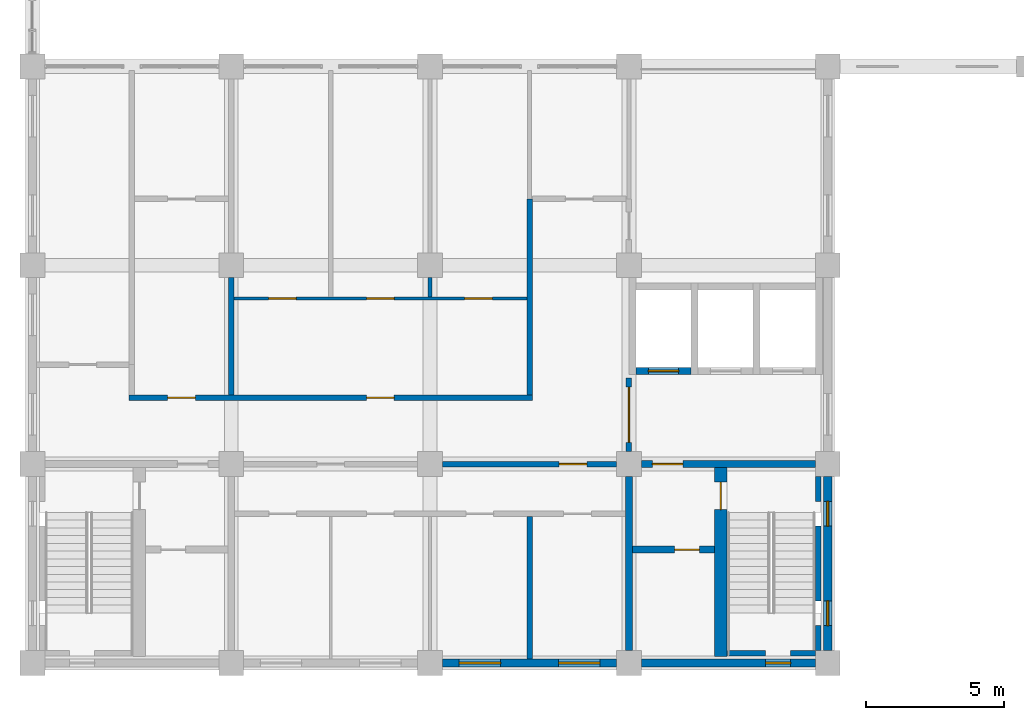
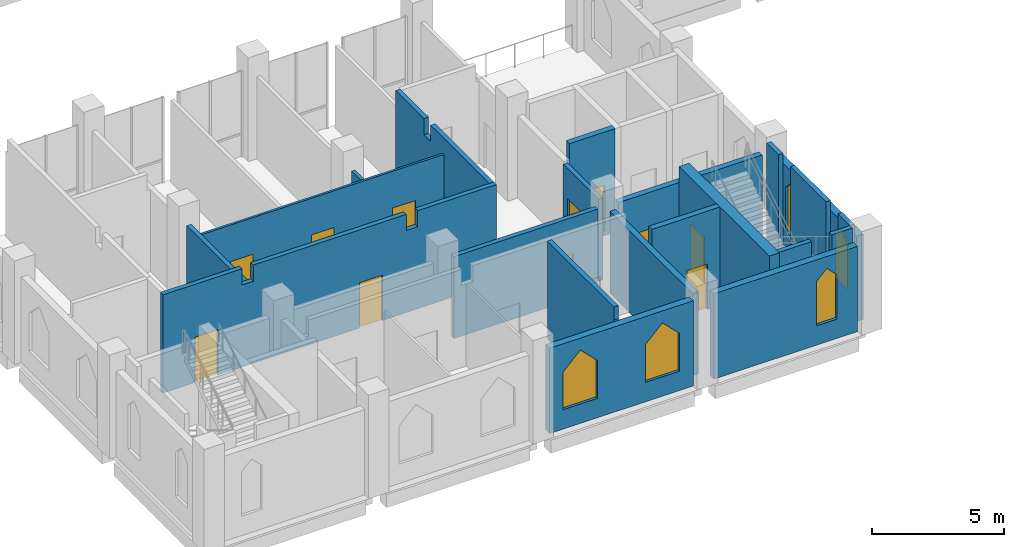
# One storey, part 20 of 30: 21 walls, 11 doors, 5 windows, 16 openings.
"""IFC4 building model written with IfcOpenShell, lengths in metres."""

from ifc_helpers import new_model, si_unit, direction, frame, frame_2d, origin, place, context, subcontext, project, spatial, polyline, rectangle, outline, extrude, material, layer, layer_set, type_object, element, fill, save


model = new_model("IFC4")

# Units and contexts
model_context = context("Model", 3, precision=1e-05, world=origin(), true_north=direction((0.0, 1.0)))
body_context = subcontext(model_context, "Body", "Model", "MODEL_VIEW")
ifc_project = project(units=[si_unit("LENGTHUNIT", "METRE"), si_unit("AREAUNIT", "SQUARE_METRE"), si_unit("VOLUMEUNIT", "CUBIC_METRE"), si_unit("PLANEANGLEUNIT", "RADIAN"), si_unit("MASSUNIT", "GRAM", prefix="KILO")], contexts=[model_context])

# Site, building, storey
site_placement = place(None, origin())
site = spatial("IfcSite", under=ifc_project, at=site_placement, CompositionType="ELEMENT")
building_placement = place(site_placement, origin())
building = spatial("IfcBuilding", under=site, at=building_placement, Name="Silangan Lancet Faculty of Sciences", CompositionType="ELEMENT")
storey_placement = place(building_placement, frame((0.0, 0.0, 31.199951171875)))
storey = spatial("IfcBuildingStorey", under=building, at=storey_placement, Name="L06", CompositionType="ELEMENT", Elevation=31.199951171875)

# Wall, openings, windows
ifc_material_1 = material(Name="Concrete C40/50 precast", Category="concrete")
ifc_layer_1 = layer(ifc_material_1, 0.300048828125)
ifc_layer_set_1 = layer_set([ifc_layer_1], Name="Concrete C40/50 precast")
wall_type_1 = type_object("IfcWallType", Name="EW1 Precast cladding wall", PredefinedType="STANDARD", material=ifc_layer_set_1)
wall_1_placement = place(storey_placement, frame((14.85009765625, 0.0, 0.0), z_axis=(0.0, 0.0, 1.0), x_axis=(1.0, 0.0, 0.0)))
wall_1 = element("IfcWall", 1, at=wall_1_placement, inside=storey, type_object=wall_type_1, Name="EW-L06-S-ST-02", PredefinedType="STANDARD", context=body_context, shape_type="SweptSolid", body=[
    extrude(rectangle(XDim=6.2998046875, YDim=0.300048828125, at=frame_2d((3.14990234375, 0.0))), origin(), (0.0, 0.0, 1.0), 3.949951171875),
])
opening_1_placement = place(wall_1_placement, frame((0.60009765625, 0.0, 0.89990234375)))
opening_1 = element("IfcOpeningElement", 2, at=opening_1_placement, cuts=wall_1, Name="Opening W12", PredefinedType="OPENING", context=body_context, shape_type="SweptSolid", body=[
    extrude(outline(polyline([(0.0, 0.0), (1.5, 0.0), (1.5, 1.75), (0.75, 2.5), (0.0, 1.75), (0.0, 0.0)])), frame((0.0, 0.159912109375, 0.0), z_axis=(0.0, -1.0, 0.0), x_axis=(1.0, 0.0, 0.0)), (0.0, 0.0, 1.0), 0.320068359375),
])
opening_2_placement = place(wall_1_placement, frame((4.199951171875, 0.0, 0.89990234375)))
opening_2 = element("IfcOpeningElement", 3, at=opening_2_placement, cuts=wall_1, Name="Opening W12", PredefinedType="OPENING", context=body_context, shape_type="SweptSolid", body=[
    extrude(outline(polyline([(0.0, 0.0), (1.5, 0.0), (1.5, 1.75), (0.75, 2.5), (0.0, 1.75), (0.0, 0.0)])), frame((0.0, 0.159912109375, 0.0), z_axis=(0.0, -1.0, 0.0), x_axis=(1.0, 0.0, 0.0)), (0.0, 0.0, 1.0), 0.320068359375),
])
ifc_material_2 = material(Name="Aluminium frame, laminated double glazing", Category="aluminium")
window_type_1 = type_object("IfcWindowType", Name="W12 Lancet window 1500 x 2500", PartitioningType="SINGLE_PANEL", PredefinedType="WINDOW", material=ifc_material_2)
window_1_placement = place(opening_1_placement, origin())
window_1 = element("IfcWindow", 4, at=window_1_placement, inside=storey, type_object=window_type_1, Name="WIN-L06-S-ST-02a", OverallHeight=2.5, OverallWidth=1.5, PartitioningType="SINGLE_PANEL", PredefinedType="WINDOW", context=body_context, shape_type="SweptSolid", body=[
    extrude(outline(polyline([(0.0, 0.0), (1.5, 0.0), (1.5, 1.75), (0.75, 2.5), (0.0, 1.75), (0.0, 0.0)])), frame((0.0, 0.030029296875, 0.0), z_axis=(0.0, -1.0, 0.0), x_axis=(1.0, 0.0, 0.0)), (0.0, 0.0, 1.0), 0.06005859375),
])
fill(opening_1, window_1)
window_2_placement = place(opening_2_placement, origin())
window_2 = element("IfcWindow", 5, at=window_2_placement, inside=storey, type_object=window_type_1, Name="WIN-L06-S-ST-02b", OverallHeight=2.5, OverallWidth=1.5, PartitioningType="SINGLE_PANEL", PredefinedType="WINDOW", context=body_context, shape_type="SweptSolid", body=[
    extrude(outline(polyline([(0.0, 0.0), (1.5, 0.0), (1.5, 1.75), (0.75, 2.5), (0.0, 1.75), (0.0, 0.0)])), frame((0.0, 0.030029296875, 0.0), z_axis=(0.0, -1.0, 0.0), x_axis=(1.0, 0.0, 0.0)), (0.0, 0.0, 1.0), 0.06005859375),
])
fill(opening_2, window_2)

# Wall, opening, window
ifc_material_3 = material(Name="Concrete C40/50 precast", Category="concrete")
ifc_layer_2 = layer(ifc_material_3, 0.300048828125)
ifc_layer_set_2 = layer_set([ifc_layer_2], Name="Concrete C40/50 precast")
wall_type_2 = type_object("IfcWallType", Name="EW2 Turret enclosure wall", PredefinedType="STANDARD", material=ifc_layer_set_2)
wall_2_placement = place(storey_placement, frame((22.050048828125, 0.0, 0.0), z_axis=(0.0, 0.0, 1.0), x_axis=(1.0, 0.0, 0.0)))
wall_2 = element("IfcWall", 6, at=wall_2_placement, inside=storey, type_object=wall_type_2, Name="EW-L06-S-ST-03", PredefinedType="STANDARD", context=body_context, shape_type="SweptSolid", body=[
    extrude(rectangle(XDim=6.300048828125, YDim=0.300048828125, at=frame_2d((3.14990234375, 0.0))), origin(), (0.0, 0.0, 1.0), 3.949951171875),
])
opening_3_placement = place(wall_2_placement, frame((4.5, 0.0, 0.89990234375)))
opening_3 = element("IfcOpeningElement", 7, at=opening_3_placement, cuts=wall_2, Name="Opening W11", PredefinedType="OPENING", context=body_context, shape_type="SweptSolid", body=[
    extrude(outline(polyline([(0.0, 0.0), (0.89990234375, 0.0), (0.89990234375, 2.050048828125), (0.449951171875, 2.5), (0.0, 2.050048828125), (0.0, 0.0)])), frame((0.0, 0.159912109375, 0.0), z_axis=(0.0, -1.0, 0.0), x_axis=(1.0, 0.0, 0.0)), (0.0, 0.0, 1.0), 0.320068359375),
])
ifc_material_4 = material(Name="Aluminium frame, laminated double glazing", Category="aluminium")
window_type_2 = type_object("IfcWindowType", Name="W11 Lancet window 900 x 2500", PartitioningType="SINGLE_PANEL", PredefinedType="WINDOW", material=ifc_material_4)
window_3_placement = place(opening_3_placement, origin())
window_3 = element("IfcWindow", 8, at=window_3_placement, inside=storey, type_object=window_type_2, Name="WIN-L06-S-ST-03b", OverallHeight=2.5, OverallWidth=0.89990234375, PartitioningType="SINGLE_PANEL", PredefinedType="WINDOW", context=body_context, shape_type="SweptSolid", body=[
    extrude(outline(polyline([(0.0, 0.0), (0.89990234375, 0.0), (0.89990234375, 2.050048828125), (0.449951171875, 2.5), (0.0, 2.050048828125), (0.0, 0.0)])), frame((0.0, 0.030029296875, 0.0), z_axis=(0.0, -1.0, 0.0), x_axis=(1.0, 0.0, 0.0)), (0.0, 0.0, 1.0), 0.06005859375),
])
fill(opening_3, window_3)

# Wall, openings, windows
wall_3_placement = place(storey_placement, frame((28.800048828125, 0.449951171875, 0.0), z_axis=(0.0, 0.0, 1.0), x_axis=(0.0, 1.0, 0.0)))
wall_3 = element("IfcWall", 9, at=wall_3_placement, inside=storey, type_object=wall_type_2, Name="EW-L06-E-ST-00", PredefinedType="STANDARD", context=body_context, shape_type="SweptSolid", body=[
    extrude(rectangle(XDim=6.300048828125, YDim=0.300048828125, at=frame_2d((3.14990234375, 0.0))), origin(), (0.0, 0.0, 1.0), 3.949951171875),
])
opening_4_placement = place(wall_3_placement, frame((0.89990234375, 0.0, 0.89990234375)))
opening_4 = element("IfcOpeningElement", 10, at=opening_4_placement, cuts=wall_3, Name="Opening W11", PredefinedType="OPENING", context=body_context, shape_type="SweptSolid", body=[
    extrude(outline(polyline([(0.0, 0.0), (0.89990234375, 0.0), (0.89990234375, 2.050048828125), (0.449951171875, 2.5), (0.0, 2.050048828125), (0.0, 0.0)])), frame((0.0, 0.159912109375, 0.0), z_axis=(0.0, -1.0, 0.0), x_axis=(1.0, 0.0, 0.0)), (0.0, 0.0, 1.0), 0.320068359375),
])
opening_5_placement = place(wall_3_placement, frame((4.5, 0.0, 0.89990234375)))
opening_5 = element("IfcOpeningElement", 11, at=opening_5_placement, cuts=wall_3, Name="Opening W11", PredefinedType="OPENING", context=body_context, shape_type="SweptSolid", body=[
    extrude(outline(polyline([(0.0, 0.0), (0.89990234375, 0.0), (0.89990234375, 2.050048828125), (0.449951171875, 2.5), (0.0, 2.050048828125), (0.0, 0.0)])), frame((0.0, 0.159912109375, 0.0), z_axis=(0.0, -1.0, 0.0), x_axis=(1.0, 0.0, 0.0)), (0.0, 0.0, 1.0), 0.320068359375),
])
window_4_placement = place(opening_4_placement, origin())
window_4 = element("IfcWindow", 12, at=window_4_placement, inside=storey, type_object=window_type_2, Name="WIN-L06-E-ST-00a", OverallHeight=2.5, OverallWidth=0.89990234375, PartitioningType="SINGLE_PANEL", PredefinedType="WINDOW", context=body_context, shape_type="SweptSolid", body=[
    extrude(outline(polyline([(0.0, 0.0), (0.89990234375, 0.0), (0.89990234375, 2.050048828125), (0.449951171875, 2.5), (0.0, 2.050048828125), (0.0, 0.0)])), frame((0.0, 0.030029296875, 0.0), z_axis=(0.0, -1.0, 0.0), x_axis=(1.0, 0.0, 0.0)), (0.0, 0.0, 1.0), 0.06005859375),
])
fill(opening_4, window_4)
window_5_placement = place(opening_5_placement, origin())
window_5 = element("IfcWindow", 13, at=window_5_placement, inside=storey, type_object=window_type_2, Name="WIN-L06-E-ST-00b", OverallHeight=2.5, OverallWidth=0.89990234375, PartitioningType="SINGLE_PANEL", PredefinedType="WINDOW", context=body_context, shape_type="SweptSolid", body=[
    extrude(outline(polyline([(0.0, 0.0), (0.89990234375, 0.0), (0.89990234375, 2.050048828125), (0.449951171875, 2.5), (0.0, 2.050048828125), (0.0, 0.0)])), frame((0.0, 0.030029296875, 0.0), z_axis=(0.0, -1.0, 0.0), x_axis=(1.0, 0.0, 0.0)), (0.0, 0.0, 1.0), 0.06005859375),
])
fill(opening_5, window_5)

# Wall, opening, door
ifc_material_5 = material(Name="Hollow block masonry fm 7 MPa", Category="masonry")
ifc_layer_3 = layer(ifc_material_5, 0.199951171875)
ifc_layer_set_3 = layer_set([ifc_layer_3], Name="Hollow block masonry fm 7 MPa")
wall_type_3 = type_object("IfcWallType", Name="Interior wall PW1 Corridor wall CHB 200", PredefinedType="PARTITIONING", material=ifc_layer_set_3)
wall_4_placement = place(storey_placement, frame((14.85009765625, 7.199951171875, 0.0), z_axis=(0.0, 0.0, 1.0), x_axis=(1.0, 0.0, 0.0)))
wall_4 = element("IfcWall", 14, at=wall_4_placement, inside=storey, type_object=wall_type_3, Name="Corridor wall CHB 200", PredefinedType="PARTITIONING", context=body_context, shape_type="SweptSolid", body=[
    extrude(rectangle(XDim=6.2998046875, YDim=0.199951171875, at=frame_2d((3.14990234375, 0.0))), origin(), (0.0, 0.0, 1.0), 3.800048828125),
])
opening_6_placement = place(wall_4_placement, frame((4.224853515625, 0.0, 0.0)))
opening_6 = element("IfcOpeningElement", 15, at=opening_6_placement, cuts=wall_4, Name="Opening L06-003", PredefinedType="OPENING", context=body_context, shape_type="SweptSolid", body=[
    extrude(rectangle(XDim=1.0, YDim=2.10009765625, at=frame_2d((0.5, 1.050048828125))), frame((0.0, 0.10986328125, 0.0), z_axis=(0.0, -1.0, 0.0), x_axis=(1.0, 0.0, 0.0)), (0.0, 0.0, 1.0), 0.219970703125),
])
ifc_material_6 = material(Name="Steel fire door set", Category="steel")
door_type_1 = type_object("IfcDoorType", Name="Door D1 Single leaf fire door 1000 x 2100", OperationType="SINGLE_SWING_LEFT", PredefinedType="DOOR", material=ifc_material_6)
door_1_placement = place(opening_6_placement, frame((1.0, 0.0, 0.0), z_axis=(0.0, 0.0, 1.0), x_axis=(-1.0, 0.0, 0.0)))
door_1 = element("IfcDoor", 16, at=door_1_placement, inside=storey, type_object=door_type_1, Name="Single leaf fire door 1000 x 2100", OperationType="SINGLE_SWING_RIGHT", OverallHeight=2.10009765625, OverallWidth=1.0, PredefinedType="DOOR", context=body_context, shape_type="SweptSolid", body=[
    extrude(rectangle(XDim=1.0, YDim=2.10009765625, at=frame_2d((0.5, 1.050048828125))), frame((0.0, 0.025146484375, 0.0), z_axis=(0.0, -1.0, 0.0), x_axis=(1.0, 0.0, 0.0)), (0.0, 0.0, 1.0), 0.050048828125),
])
fill(opening_6, door_1)

# Wall, openings, doors
wall_5_placement = place(storey_placement, frame((3.5, 9.60009765625, 0.0), z_axis=(0.0, 0.0, 1.0), x_axis=(1.0, 0.0, 0.0)))
wall_5 = element("IfcWall", 17, at=wall_5_placement, inside=storey, type_object=wall_type_3, Name="Corridor wall CHB 200", PredefinedType="PARTITIONING", context=body_context, shape_type="SweptSolid", body=[
    extrude(outline(polyline([(0.0, 0.0), (14.60009765625, 0.0), (14.60009765625, 4.550048828125), (11.14990234375, 4.550048828125), (11.14990234375, 3.800048828125), (10.64990234375, 3.800048828125), (10.64990234375, 4.550048828125), (3.949951171875, 4.550048828125), (3.949951171875, 3.800048828125), (3.449951171875, 3.800048828125), (3.449951171875, 4.550048828125), (0.0, 4.550048828125), (0.0, 0.0)])), frame((0.0, 0.10009765625, 0.0), z_axis=(0.0, -1.0, 0.0), x_axis=(1.0, 0.0, 0.0)), (0.0, 0.0, 1.0), 0.199951171875),
])
opening_7_placement = place(wall_5_placement, frame((1.39990234375, 0.0, 0.0)))
opening_7 = element("IfcOpeningElement", 18, at=opening_7_placement, cuts=wall_5, Name="Opening L06-014", PredefinedType="OPENING", context=body_context, shape_type="SweptSolid", body=[
    extrude(rectangle(XDim=1.0, YDim=2.10009765625, at=frame_2d((0.5, 1.050048828125))), frame((0.0, 0.10986328125, 0.0), z_axis=(0.0, -1.0, 0.0), x_axis=(1.0, 0.0, 0.0)), (0.0, 0.0, 1.0), 0.219970703125),
])
opening_8_placement = place(wall_5_placement, frame((8.60009765625, 0.0, 0.0)))
opening_8 = element("IfcOpeningElement", 19, at=opening_8_placement, cuts=wall_5, Name="Opening L06-016", PredefinedType="OPENING", context=body_context, shape_type="SweptSolid", body=[
    extrude(rectangle(XDim=1.0, YDim=2.10009765625, at=frame_2d((0.5, 1.050048828125))), frame((0.0, 0.10986328125, 0.0), z_axis=(0.0, -1.0, 0.0), x_axis=(1.0, 0.0, 0.0)), (0.0, 0.0, 1.0), 0.219970703125),
])
door_2_placement = place(opening_7_placement, origin())
door_2 = element("IfcDoor", 20, at=door_2_placement, inside=storey, type_object=door_type_1, Name="Single leaf fire door 1000 x 2100", OperationType="SINGLE_SWING_RIGHT", OverallHeight=2.10009765625, OverallWidth=1.0, PredefinedType="DOOR", context=body_context, shape_type="SweptSolid", body=[
    extrude(rectangle(XDim=1.0, YDim=2.10009765625, at=frame_2d((0.5, 1.050048828125))), frame((0.0, 0.02490234375, 0.0), z_axis=(0.0, -1.0, 0.0), x_axis=(1.0, 0.0, 0.0)), (0.0, 0.0, 1.0), 0.050048828125),
])
fill(opening_7, door_2)
door_3_placement = place(opening_8_placement, origin())
door_3 = element("IfcDoor", 21, at=door_3_placement, inside=storey, type_object=door_type_1, Name="Single leaf fire door 1000 x 2100", OperationType="SINGLE_SWING_RIGHT", OverallHeight=2.10009765625, OverallWidth=1.0, PredefinedType="DOOR", context=body_context, shape_type="SweptSolid", body=[
    extrude(rectangle(XDim=1.0, YDim=2.10009765625, at=frame_2d((0.5, 1.050048828125))), frame((0.0, 0.02490234375, 0.0), z_axis=(0.0, -1.0, 0.0), x_axis=(1.0, 0.0, 0.0)), (0.0, 0.0, 1.0), 0.050048828125),
])
fill(opening_8, door_3)

# Wall
wall_6_placement = place(storey_placement, frame((18.0, 9.699951171875, 0.0), z_axis=(0.0, 0.0, 1.0), x_axis=(0.0, 1.0, 0.0)))
element("IfcWall", 22, at=wall_6_placement, inside=storey, type_object=wall_type_3, Name="Corridor wall CHB 200", PredefinedType="PARTITIONING", context=body_context, shape_type="SweptSolid", body=[
    extrude(outline(polyline([(0.0, 0.0), (7.10009765625, 0.0), (7.10009765625, 4.550048828125), (4.949951171875, 4.550048828125), (4.949951171875, 3.800048828125), (4.449951171875, 3.800048828125), (4.449951171875, 4.550048828125), (0.0, 4.550048828125), (0.0, 0.0)])), frame((0.0, 0.10009765625, 0.0), z_axis=(0.0, -1.0, 0.0), x_axis=(1.0, 0.0, 0.0)), (0.0, 0.0, 1.0), 0.199951171875),
])

# Wall, openings, doors
ifc_material_7 = material(Name="Gypsum board on metal studs")
ifc_layer_4 = layer(ifc_material_7, 0.10009765625)
ifc_layer_set_4 = layer_set([ifc_layer_4], Name="Gypsum board on metal studs")
wall_type_4 = type_object("IfcWallType", Name="Interior wall PW2 Office partition drywall 100", PredefinedType="PARTITIONING", material=ifc_layer_set_4)
wall_7_placement = place(storey_placement, frame((7.300048828125, 13.199951171875, 0.0), z_axis=(0.0, 0.0, 1.0), x_axis=(1.0, 0.0, 0.0)))
wall_7 = element("IfcWall", 23, at=wall_7_placement, inside=storey, type_object=wall_type_4, Name="Office partition drywall 100", PredefinedType="PARTITIONING", context=body_context, shape_type="SweptSolid", body=[
    extrude(rectangle(XDim=10.599853515625, YDim=0.10009765625, at=frame_2d((5.2998046875, 0.0))), origin(), (0.0, 0.0, 1.0), 3.800048828125),
])
opening_9_placement = place(wall_7_placement, frame((1.25, 0.0, 0.0)))
opening_9 = element("IfcOpeningElement", 24, at=opening_9_placement, cuts=wall_7, Name="Opening L06-017", PredefinedType="OPENING", context=body_context, shape_type="SweptSolid", body=[
    extrude(rectangle(XDim=1.0, YDim=2.10009765625, at=frame_2d((0.5, 1.050048828125))), frame((0.0, 0.06005859375, 0.0), z_axis=(0.0, -1.0, 0.0), x_axis=(1.0, 0.0, 0.0)), (0.0, 0.0, 1.0), 0.1201171875),
])
opening_10_placement = place(wall_7_placement, frame((4.800048828125, 0.0, 0.0)))
opening_10 = element("IfcOpeningElement", 25, at=opening_10_placement, cuts=wall_7, Name="Opening L06-018", PredefinedType="OPENING", context=body_context, shape_type="SweptSolid", body=[
    extrude(rectangle(XDim=1.0, YDim=2.10009765625, at=frame_2d((0.5, 1.050048828125))), frame((0.0, 0.06005859375, 0.0), z_axis=(0.0, -1.0, 0.0), x_axis=(1.0, 0.0, 0.0)), (0.0, 0.0, 1.0), 0.1201171875),
])
opening_11_placement = place(wall_7_placement, frame((8.35009765625, 0.0, 0.0)))
opening_11 = element("IfcOpeningElement", 26, at=opening_11_placement, cuts=wall_7, Name="Opening L06-019", PredefinedType="OPENING", context=body_context, shape_type="SweptSolid", body=[
    extrude(rectangle(XDim=1.0, YDim=2.10009765625, at=frame_2d((0.5, 1.050048828125))), frame((0.0, 0.06005859375, 0.0), z_axis=(0.0, -1.0, 0.0), x_axis=(1.0, 0.0, 0.0)), (0.0, 0.0, 1.0), 0.1201171875),
])
ifc_material_8 = material(Name="Timber door leaf", Category="wood")
door_type_2 = type_object("IfcDoorType", Name="Door D2 Single leaf door 1000 x 2100", OperationType="SINGLE_SWING_LEFT", PredefinedType="DOOR", material=ifc_material_8)
door_4_placement = place(opening_9_placement, origin())
door_4 = element("IfcDoor", 27, at=door_4_placement, inside=storey, type_object=door_type_2, Name="Single leaf door 1000 x 2100", OperationType="SINGLE_SWING_LEFT", OverallHeight=2.10009765625, OverallWidth=1.0, PredefinedType="DOOR", context=body_context, shape_type="SweptSolid", body=[
    extrude(rectangle(XDim=1.0, YDim=2.10009765625, at=frame_2d((0.5, 1.050048828125))), frame((0.0, 0.02490234375, 0.0), z_axis=(0.0, -1.0, 0.0), x_axis=(1.0, 0.0, 0.0)), (0.0, 0.0, 1.0), 0.050048828125),
])
fill(opening_9, door_4)
door_5_placement = place(opening_10_placement, origin())
door_5 = element("IfcDoor", 28, at=door_5_placement, inside=storey, type_object=door_type_2, Name="Single leaf door 1000 x 2100", OperationType="SINGLE_SWING_RIGHT", OverallHeight=2.10009765625, OverallWidth=1.0, PredefinedType="DOOR", context=body_context, shape_type="SweptSolid", body=[
    extrude(rectangle(XDim=1.0, YDim=2.10009765625, at=frame_2d((0.5, 1.050048828125))), frame((0.0, 0.02490234375, 0.0), z_axis=(0.0, -1.0, 0.0), x_axis=(1.0, 0.0, 0.0)), (0.0, 0.0, 1.0), 0.050048828125),
])
fill(opening_10, door_5)
door_6_placement = place(opening_11_placement, origin())
door_6 = element("IfcDoor", 29, at=door_6_placement, inside=storey, type_object=door_type_2, Name="Single leaf door 1000 x 2100", OperationType="SINGLE_SWING_LEFT", OverallHeight=2.10009765625, OverallWidth=1.0, PredefinedType="DOOR", context=body_context, shape_type="SweptSolid", body=[
    extrude(rectangle(XDim=1.0, YDim=2.10009765625, at=frame_2d((0.5, 1.050048828125))), frame((0.0, 0.02490234375, 0.0), z_axis=(0.0, -1.0, 0.0), x_axis=(1.0, 0.0, 0.0)), (0.0, 0.0, 1.0), 0.050048828125),
])
fill(opening_11, door_6)

# Walls
ifc_material_9 = material(Name="Hollow block masonry fm 7 MPa", Category="masonry")
ifc_layer_5 = layer(ifc_material_9, 0.14990234375)
ifc_layer_set_5 = layer_set([ifc_layer_5], Name="Hollow block masonry fm 7 MPa")
wall_type_5 = type_object("IfcWallType", Name="Interior wall PW3 Partition CHB 150", PredefinedType="PARTITIONING", material=ifc_layer_set_5)
wall_8_placement = place(storey_placement, frame((14.39990234375, 13.25, 0.0), z_axis=(0.0, 0.0, 1.0), x_axis=(0.0, 1.0, 0.0)))
element("IfcWall", 30, at=wall_8_placement, inside=storey, type_object=wall_type_5, Name="Partition CHB 150", PredefinedType="PARTITIONING", context=body_context, shape_type="SweptSolid", body=[
    extrude(rectangle(XDim=0.699951171875, YDim=0.14990234375, at=frame_2d((0.35009765625, 0.0))), origin(), (0.0, 0.0, 1.0), 3.800048828125),
])
ifc_material_10 = material(Name="Hollow block masonry fm 7 MPa", Category="masonry")
ifc_layer_6 = layer(ifc_material_10, 0.199951171875)
ifc_layer_set_6 = layer_set([ifc_layer_6], Name="Hollow block masonry fm 7 MPa")
wall_type_6 = type_object("IfcWallType", Name="Interior wall PW4 Laboratory separation CHB 200", PredefinedType="PARTITIONING", material=ifc_layer_set_6)
wall_9_placement = place(storey_placement, frame((7.199951171875, 9.699951171875, 0.0), z_axis=(0.0, 0.0, 1.0), x_axis=(0.0, 1.0, 0.0)))
element("IfcWall", 31, at=wall_9_placement, inside=storey, type_object=wall_type_6, Name="Laboratory separation CHB 200", PredefinedType="PARTITIONING", context=body_context, shape_type="SweptSolid", body=[
    extrude(rectangle(XDim=4.25, YDim=0.199951171875, at=frame_2d((2.125, 0.0))), origin(), (0.0, 0.0, 1.0), 3.800048828125),
])
wall_10_placement = place(storey_placement, frame((18.0, 0.14990234375, 0.0), z_axis=(0.0, 0.0, 1.0), x_axis=(0.0, 1.0, 0.0)))
element("IfcWall", 32, at=wall_10_placement, inside=storey, type_object=wall_type_6, Name="Laboratory separation CHB 200", PredefinedType="PARTITIONING", context=body_context, shape_type="SweptSolid", body=[
    extrude(outline(polyline([(0.0, 0.0), (5.150146484375, 0.0), (5.150146484375, 4.550048828125), (0.10009765625, 4.550048828125), (0.10009765625, 3.949951171875), (0.0, 3.949951171875), (0.0, 0.0)])), frame((0.0, 0.10009765625, 0.0), z_axis=(0.0, -1.0, 0.0), x_axis=(1.0, 0.0, 0.0)), (0.0, 0.0, 1.0), 0.199951171875),
])

# Wall, opening, door
ifc_material_11 = material(Name="Hollow block masonry fm 7 MPa", Category="masonry")
ifc_layer_7 = layer(ifc_material_11, 0.199951171875)
ifc_layer_set_7 = layer_set([ifc_layer_7], Name="Hollow block masonry fm 7 MPa")
wall_type_7 = type_object("IfcWallType", Name="Interior wall PW9 Lift lobby wall CHB 200", PredefinedType="PARTITIONING", material=ifc_layer_set_7)
wall_11_placement = place(storey_placement, frame((21.60009765625, 7.64990234375, 0.0), z_axis=(0.0, 0.0, 1.0), x_axis=(0.0, 1.0, 0.0)))
wall_11 = element("IfcWall", 33, at=wall_11_placement, inside=storey, type_object=wall_type_7, Name="Lift lobby wall CHB 200", PredefinedType="PARTITIONING", context=body_context, shape_type="SweptSolid", body=[
    extrude(rectangle(XDim=2.675048828125, YDim=0.199951171875, at=frame_2d((1.33740234375, 0.0))), origin(), (0.0, 0.0, 1.0), 3.800048828125),
])
opening_12_placement = place(wall_11_placement, frame((0.33740234375, 0.0, 0.0)))
opening_12 = element("IfcOpeningElement", 34, at=opening_12_placement, cuts=wall_11, Name="Opening L06-001", PredefinedType="OPENING", context=body_context, shape_type="SweptSolid", body=[
    extrude(rectangle(XDim=2.0, YDim=2.39990234375, at=frame_2d((1.0, 1.199951171875))), frame((0.0, 0.10986328125, 0.0), z_axis=(0.0, -1.0, 0.0), x_axis=(1.0, 0.0, 0.0)), (0.0, 0.0, 1.0), 0.219970703125),
])
ifc_material_12 = material(Name="Steel fire door set", Category="steel")
door_type_3 = type_object("IfcDoorType", Name="Door D5 Lift lobby double fire door 2000 x 2400", OperationType="DOUBLE_DOOR_SINGLE_SWING", PredefinedType="DOOR", material=ifc_material_12)
door_7_placement = place(opening_12_placement, origin())
door_7 = element("IfcDoor", 35, at=door_7_placement, inside=storey, type_object=door_type_3, Name="Lift lobby double fire door 2000 x 2400", OperationType="DOUBLE_DOOR_SINGLE_SWING", OverallHeight=2.39990234375, OverallWidth=2.0, PredefinedType="DOOR", context=body_context, shape_type="SweptSolid", body=[
    extrude(rectangle(XDim=2.0, YDim=2.39990234375, at=frame_2d((1.0, 1.199951171875))), frame((0.0, 0.02490234375, 0.0), z_axis=(0.0, -1.0, 0.0), x_axis=(1.0, 0.0, 0.0)), (0.0, 0.0, 1.0), 0.050048828125),
])
fill(opening_12, door_7)

ifc_material_13 = material(Name="Concrete C40/50", Category="concrete")
ifc_layer_8 = layer(ifc_material_13, 0.25)
ifc_layer_set_8 = layer_set([ifc_layer_8], Name="Concrete C40/50")
wall_type_8 = type_object("IfcWallType", Name="LIFT SHAFT WALL RC 250", PredefinedType="SHEAR", material=ifc_layer_set_8)
wall_12_placement = place(storey_placement, frame((21.85009765625, 10.574951171875, -0.25), z_axis=(0.0, 0.0, 1.0), x_axis=(1.0, 0.0, 0.0)))
wall_12 = element("IfcWall", 36, at=wall_12_placement, inside=storey, type_object=wall_type_8, Name="WALL-L06-ST-L1-F", PredefinedType="SHEAR", context=body_context, shape_type="SweptSolid", body=[
    extrude(rectangle(XDim=2.0, YDim=0.25, at=frame_2d((1.0, 0.0))), origin(), (0.0, 0.0, 1.0), 4.800048828125),
])
opening_13_placement = place(wall_12_placement, frame((0.449951171875, 0.0, 0.25)))
opening_13 = element("IfcOpeningElement", 37, at=opening_13_placement, cuts=wall_12, Name="Opening L06-804", PredefinedType="OPENING", context=body_context, shape_type="SweptSolid", body=[
    extrude(rectangle(XDim=1.10009765625, YDim=2.10009765625, at=frame_2d((0.550048828125, 1.050048828125))), frame((0.0, 0.135009765625, 0.0), z_axis=(0.0, -1.0, 0.0), x_axis=(1.0, 0.0, 0.0)), (0.0, 0.0, 1.0), 0.27001953125),
])
ifc_material_14 = material(Name="Stainless steel sliding door", Category="steel")
door_type_4 = type_object("IfcDoorType", Name="LD1 Lift landing door 1100x2100", OperationType="SLIDING_TO_LEFT", PredefinedType="DOOR", material=ifc_material_14)
door_8_placement = place(opening_13_placement, origin())
door_8 = element("IfcDoor", 38, at=door_8_placement, inside=storey, type_object=door_type_4, Name="Landing door ST-L1 L06", OperationType="SLIDING_TO_LEFT", OverallHeight=2.10009765625, OverallWidth=1.10009765625, PredefinedType="DOOR", context=body_context, shape_type="SweptSolid", body=[
    extrude(rectangle(XDim=1.10009765625, YDim=2.10009765625, at=frame_2d((0.550048828125, 1.050048828125))), frame((0.0, 0.02490234375, 0.0), z_axis=(0.0, -1.0, 0.0), x_axis=(1.0, 0.0, 0.0)), (0.0, 0.0, 1.0), 0.050048828125),
])
fill(opening_13, door_8)

ifc_material_15 = material(Name="Concrete C40/50", Category="concrete")
ifc_layer_9 = layer(ifc_material_15, 0.449951171875)
ifc_layer_set_9 = layer_set([ifc_layer_9], Name="Concrete C40/50")
wall_type_9 = type_object("IfcWallType", Name="TURRET CORE WALL RC 450", PredefinedType="SHEAR", material=ifc_layer_set_9)
wall_13_placement = place(storey_placement, frame((24.925048828125, 0.22509765625, 0.0), z_axis=(0.0, 0.0, 1.0), x_axis=(0.0, 1.0, 0.0)))
wall_13 = element("IfcWall", 39, at=wall_13_placement, inside=storey, type_object=wall_type_9, Name="WALL-L06-ST-B-WELL", PredefinedType="SHEAR", context=body_context, shape_type="SweptSolid", body=[
    extrude(rectangle(XDim=6.849853515625, YDim=0.449951171875, at=frame_2d((3.4248046875, 0.0))), origin(), (0.0, 0.0, 1.0), 4.550048828125),
])
opening_14_placement = place(wall_13_placement, frame((5.324951171875, 0.0, 0.0)))
opening_14 = element("IfcOpeningElement", 40, at=opening_14_placement, cuts=wall_13, Name="Opening L06-710", PredefinedType="OPENING", context=body_context, shape_type="SweptSolid", body=[
    extrude(rectangle(XDim=1.0, YDim=2.10009765625, at=frame_2d((0.5, 1.050048828125))), frame((0.0, 0.23486328125, 0.0), z_axis=(0.0, -1.0, 0.0), x_axis=(1.0, 0.0, 0.0)), (0.0, 0.0, 1.0), 0.469970703125),
])
ifc_material_16 = material(Name="Steel fire door set", Category="steel")
door_type_5 = type_object("IfcDoorType", Name="D71 Stair enclosure door 1000x2100", OperationType="SINGLE_SWING_LEFT", PredefinedType="DOOR", material=ifc_material_16)
door_9_placement = place(opening_14_placement, frame((1.0, 0.0, 0.0), z_axis=(0.0, 0.0, 1.0), x_axis=(-1.0, 0.0, 0.0)))
door_9 = element("IfcDoor", 41, at=door_9_placement, inside=storey, type_object=door_type_5, Name="Stair enclosure door ST-B L06", OperationType="SINGLE_SWING_LEFT", OverallHeight=2.10009765625, OverallWidth=1.0, PredefinedType="DOOR", context=body_context, shape_type="SweptSolid", body=[
    extrude(rectangle(XDim=1.0, YDim=2.10009765625, at=frame_2d((0.5, 1.050048828125))), frame((0.0, 0.025146484375, 0.0), z_axis=(0.0, -1.0, 0.0), x_axis=(1.0, 0.0, 0.0)), (0.0, 0.0, 1.0), 0.050048828125),
])
fill(opening_14, door_9)

# Walls
ifc_material_17 = material(Name="Concrete C40/50", Category="concrete")
ifc_layer_10 = layer(ifc_material_17, 0.199951171875)
ifc_layer_set_10 = layer_set([ifc_layer_10], Name="Concrete C40/50")
wall_type_10 = type_object("IfcWallType", Name="TURRET LINING WALL RC 200", PredefinedType="SHEAR", material=ifc_layer_set_10)
wall_14_placement = place(storey_placement, frame((28.449951171875, 0.449951171875, -0.25), z_axis=(0.0, 0.0, 1.0), x_axis=(0.0, 1.0, 0.0)))
element("IfcWall", 42, at=wall_14_placement, inside=storey, type_object=wall_type_10, Name="WALL-L06-ST-B-WL", PredefinedType="SHEAR", context=body_context, shape_type="SweptSolid", body=[
    extrude(rectangle(XDim=0.900146484375, YDim=0.199951171875, at=frame_2d((0.4501953125, 0.0))), origin(), (0.0, 0.0, 1.0), 4.800048828125),
])
wall_15_placement = place(storey_placement, frame((28.449951171875, 2.25, -0.25), z_axis=(0.0, 0.0, 1.0), x_axis=(0.0, 1.0, 0.0)))
element("IfcWall", 43, at=wall_15_placement, inside=storey, type_object=wall_type_10, Name="WALL-L06-ST-B-WL-2", PredefinedType="SHEAR", context=body_context, shape_type="SweptSolid", body=[
    extrude(rectangle(XDim=2.699951171875, YDim=0.199951171875, at=frame_2d((1.35009765625, 0.0))), origin(), (0.0, 0.0, 1.0), 4.800048828125),
])
wall_16_placement = place(storey_placement, frame((28.449951171875, 5.85009765625, -0.25), z_axis=(0.0, 0.0, 1.0), x_axis=(0.0, 1.0, 0.0)))
element("IfcWall", 44, at=wall_16_placement, inside=storey, type_object=wall_type_10, Name="WALL-L06-ST-B-WL-3", PredefinedType="SHEAR", context=body_context, shape_type="SweptSolid", body=[
    extrude(rectangle(XDim=0.89990234375, YDim=0.199951171875, at=frame_2d((0.449951171875, 0.0))), origin(), (0.0, 0.0, 1.0), 4.800048828125),
])
wall_17_placement = place(storey_placement, frame((25.14990234375, 0.35009765625, -0.25), z_axis=(0.0, 0.0, 1.0), x_axis=(1.0, 0.0, 0.0)))
element("IfcWall", 45, at=wall_17_placement, inside=storey, type_object=wall_type_10, Name="WALL-L06-ST-B-WLD", PredefinedType="SHEAR", context=body_context, shape_type="SweptSolid", body=[
    extrude(rectangle(XDim=1.400146484375, YDim=0.199951171875, at=frame_2d((0.7001953125, 0.0))), origin(), (0.0, 0.0, 1.0), 4.800048828125),
])
wall_18_placement = place(storey_placement, frame((27.449951171875, 0.35009765625, -0.25), z_axis=(0.0, 0.0, 1.0), x_axis=(1.0, 0.0, 0.0)))
element("IfcWall", 46, at=wall_18_placement, inside=storey, type_object=wall_type_10, Name="WALL-L06-ST-B-WLD-2", PredefinedType="SHEAR", context=body_context, shape_type="SweptSolid", body=[
    extrude(rectangle(XDim=0.900146484375, YDim=0.199951171875, at=frame_2d((0.4501953125, 0.0))), origin(), (0.0, 0.0, 1.0), 4.800048828125),
])

# Wall, opening, door
ifc_material_18 = material(Name="Concrete C40/50", Category="concrete")
ifc_layer_11 = layer(ifc_material_18, 0.25)
ifc_layer_set_11 = layer_set([ifc_layer_11], Name="Concrete C40/50")
wall_type_11 = type_object("IfcWallType", Name="TURRET WALL RC 250", PredefinedType="SHEAR", material=ifc_layer_set_11)
wall_19_placement = place(storey_placement, frame((22.050048828125, 7.199951171875, 0.0), z_axis=(0.0, 0.0, 1.0), x_axis=(1.0, 0.0, 0.0)))
wall_19 = element("IfcWall", 47, at=wall_19_placement, inside=storey, type_object=wall_type_11, Name="WALL-L06-ST-B-V", PredefinedType="SHEAR", context=body_context, shape_type="SweptSolid", body=[
    extrude(rectangle(XDim=6.300048828125, YDim=0.25, at=frame_2d((3.14990234375, 0.0))), origin(), (0.0, 0.0, 1.0), 3.800048828125),
])
opening_15_placement = place(wall_19_placement, frame((0.39990234375, 0.0, 0.0)))
opening_15 = element("IfcOpeningElement", 48, at=opening_15_placement, cuts=wall_19, Name="Opening L06-711", PredefinedType="OPENING", context=body_context, shape_type="SweptSolid", body=[
    extrude(rectangle(XDim=1.10009765625, YDim=2.10009765625, at=frame_2d((0.550048828125, 1.050048828125))), frame((0.0, 0.135009765625, 0.0), z_axis=(0.0, -1.0, 0.0), x_axis=(1.0, 0.0, 0.0)), (0.0, 0.0, 1.0), 0.27001953125),
])
ifc_material_19 = material(Name="Steel fire door set", Category="steel")
door_type_6 = type_object("IfcDoorType", Name="D70 Stair vestibule door 1100x2100", OperationType="SINGLE_SWING_LEFT", PredefinedType="DOOR", material=ifc_material_19)
door_10_placement = place(opening_15_placement, frame((1.10009765625, 0.0, 0.0), z_axis=(0.0, 0.0, 1.0), x_axis=(-1.0, 0.0, 0.0)))
door_10 = element("IfcDoor", 49, at=door_10_placement, inside=storey, type_object=door_type_6, Name="Stair vestibule door ST-B L06", OperationType="SINGLE_SWING_RIGHT", OverallHeight=2.10009765625, OverallWidth=1.10009765625, PredefinedType="DOOR", context=body_context, shape_type="SweptSolid", body=[
    extrude(rectangle(XDim=1.10009765625, YDim=2.10009765625, at=frame_2d((0.550048828125, 1.050048828125))), frame((0.0, 0.025146484375, 0.0), z_axis=(0.0, -1.0, 0.0), x_axis=(1.0, 0.0, 0.0)), (0.0, 0.0, 1.0), 0.050048828125),
])
fill(opening_15, door_10)

# Wall
wall_20_placement = place(storey_placement, frame((21.60009765625, 0.449951171875, 0.0), z_axis=(0.0, 0.0, 1.0), x_axis=(0.0, 1.0, 0.0)))
element("IfcWall", 50, at=wall_20_placement, inside=storey, type_object=wall_type_11, Name="WALL-L06-ST-B-O", PredefinedType="SHEAR", context=body_context, shape_type="SweptSolid", body=[
    extrude(rectangle(XDim=6.300048828125, YDim=0.25, at=frame_2d((3.14990234375, 0.0))), origin(), (0.0, 0.0, 1.0), 3.800048828125),
])

# Wall, opening, door
wall_21_placement = place(storey_placement, frame((21.72509765625, 4.10009765625, 0.0), z_axis=(0.0, 0.0, 1.0), x_axis=(1.0, 0.0, 0.0)))
wall_21 = element("IfcWall", 51, at=wall_21_placement, inside=storey, type_object=wall_type_11, Name="WALL-L06-ST-B-RISER", PredefinedType="SHEAR", context=body_context, shape_type="SweptSolid", body=[
    extrude(rectangle(XDim=2.974853515625, YDim=0.25, at=frame_2d((1.4873046875, 0.0))), origin(), (0.0, 0.0, 1.0), 4.550048828125),
])
opening_16_placement = place(wall_21_placement, frame((1.52490234375, 0.0, 0.0)))
opening_16 = element("IfcOpeningElement", 52, at=opening_16_placement, cuts=wall_21, Name="Opening L06-712", PredefinedType="OPENING", context=body_context, shape_type="SweptSolid", body=[
    extrude(rectangle(XDim=0.89990234375, YDim=2.10009765625, at=frame_2d((0.449951171875, 1.050048828125))), frame((0.0, 0.135009765625, 0.0), z_axis=(0.0, -1.0, 0.0), x_axis=(1.0, 0.0, 0.0)), (0.0, 0.0, 1.0), 0.27001953125),
])
ifc_material_20 = material(Name="Steel fire door set", Category="steel")
door_type_7 = type_object("IfcDoorType", Name="D72 Riser access door 900x2100", OperationType="SINGLE_SWING_LEFT", PredefinedType="DOOR", material=ifc_material_20)
door_11_placement = place(opening_16_placement, frame((0.89990234375, 0.0, 0.0), z_axis=(0.0, 0.0, 1.0), x_axis=(-1.0, 0.0, 0.0)))
door_11 = element("IfcDoor", 53, at=door_11_placement, inside=storey, type_object=door_type_7, Name="Riser access door ST-B L06", OperationType="SINGLE_SWING_RIGHT", OverallHeight=2.10009765625, OverallWidth=0.89990234375, PredefinedType="DOOR", context=body_context, shape_type="SweptSolid", body=[
    extrude(rectangle(XDim=0.89990234375, YDim=2.10009765625, at=frame_2d((0.449951171875, 1.050048828125))), frame((0.0, 0.025146484375, 0.0), z_axis=(0.0, -1.0, 0.0), x_axis=(1.0, 0.0, 0.0)), (0.0, 0.0, 1.0), 0.050048828125),
])
fill(opening_16, door_11)

save(model, "model.ifc")
